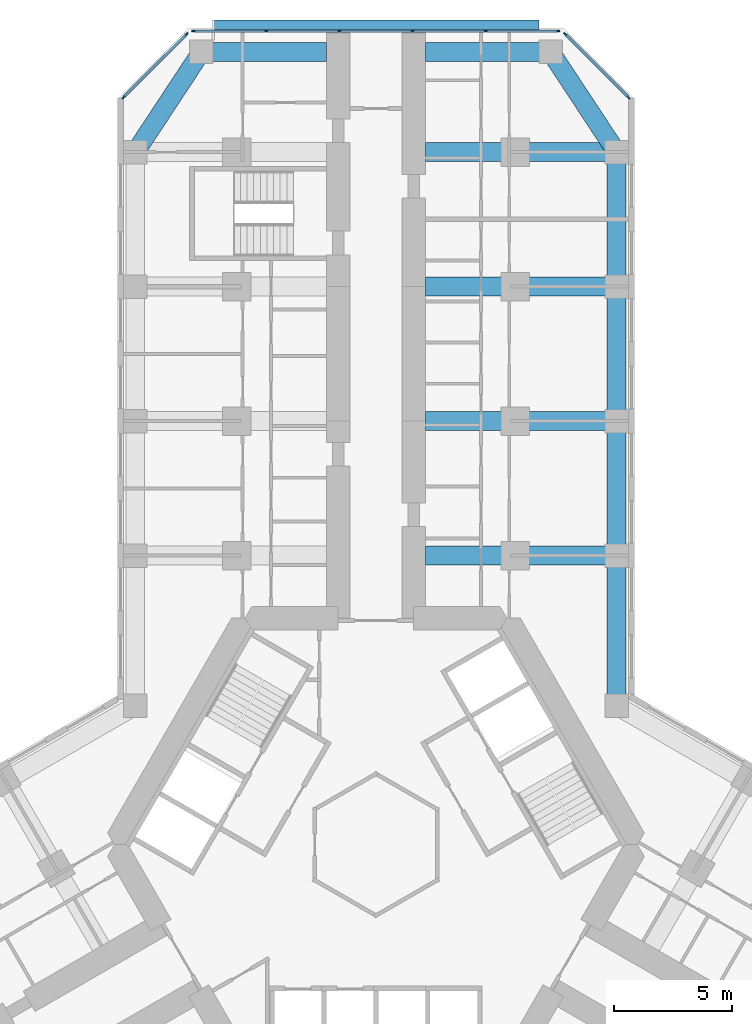
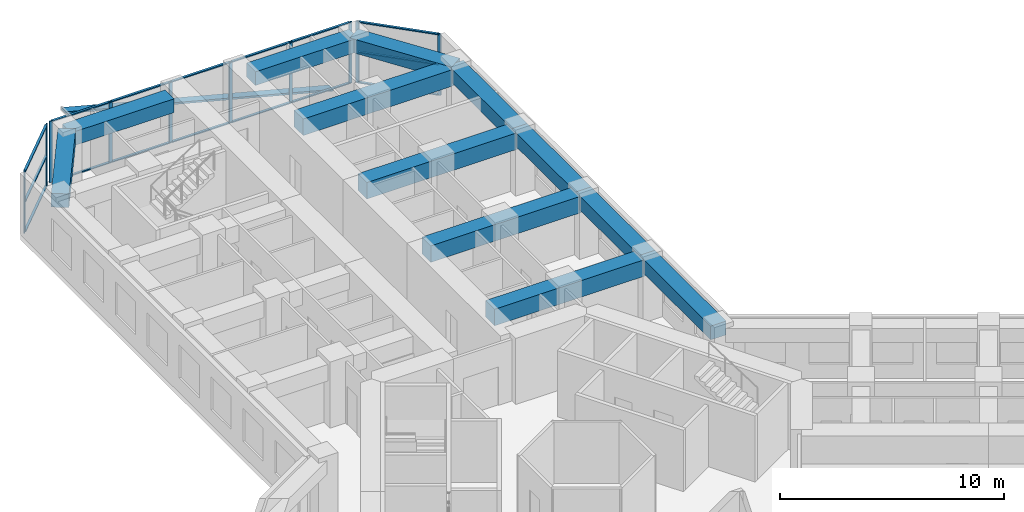
# One storey, part 7 of 21: 27 members, 12 beams, 3 elements without a shape of their own.
"""IFC4 building model written with IfcOpenShell, lengths in metres."""

from ifc_helpers import new_model, si_unit, direction, frame, origin, origin_2d, place, context, subcontext, project, spatial, rectangle, extrude, material, material_profile, profile_set, type_object, element, aggregate, save


model = new_model("IFC4")

# Units and contexts
model_context = context("Model", 3, precision=1e-05, world=origin(), true_north=direction((0.0, 1.0)))
body_context = subcontext(model_context, "Body", "Model", "MODEL_VIEW")
ifc_project = project(units=[si_unit("LENGTHUNIT", "METRE"), si_unit("AREAUNIT", "SQUARE_METRE"), si_unit("VOLUMEUNIT", "CUBIC_METRE"), si_unit("PLANEANGLEUNIT", "RADIAN"), si_unit("MASSUNIT", "GRAM", prefix="KILO")], contexts=[model_context])

# Site, building, storey
site_placement = place(None, origin())
site = spatial("IfcSite", under=ifc_project, at=site_placement, CompositionType="ELEMENT")
building_placement = place(site_placement, origin())
building = spatial("IfcBuilding", under=site, at=building_placement, Name="Kosmar Iwan School Tower", CompositionType="ELEMENT")
storey_placement = place(building_placement, frame((0.0, 0.0, 68.199951171875)))
storey = spatial("IfcBuildingStorey", under=building, at=storey_placement, Name="L16", CompositionType="ELEMENT", Elevation=68.199951171875)

# Member
ifc_material_1 = material(Name="Black anodised aluminium", Category="aluminium")
ifc_material_profile_1 = material_profile(ifc_material_1, rectangle(XDim=0.10009765625, YDim=0.39990234375, at=origin_2d()), Name="FIN 100x400")
ifc_profile_set_1 = profile_set([ifc_material_profile_1], Name="Black anodised aluminium")
member_type_1 = type_object("IfcMemberType", Name="Diagonal fin 100x400", PredefinedType="USERDEFINED", material=ifc_profile_set_1)
member_1_placement = place(storey_placement, frame((6.898193359375, 34.75, -0.14990234375), z_axis=(-0.967603633438, 0.0, 0.252474174041), x_axis=(0.252474174041, 0.0, 0.967603633438)))
element("IfcMember", 1, at=member_1_placement, inside=storey, type_object=member_type_1, Name="Diagonal fin L16-F08", ObjectType="FIN", PredefinedType="USERDEFINED", context=body_context, shape_type="SweptSolid", body=[
    extrude(rectangle(XDim=0.10009765625, YDim=0.39990234375, at=origin_2d()), origin(), (0.0, 0.0, 1.0), 14.25830078125),
])

# Curtain wall, members
ifc_material_2 = material(Name="Dark glass in black aluminium frame", Category="aluminium")
curtain_wall_type_1 = type_object("IfcCurtainWallType", Name="Chamfer curtain wall dark glass", PredefinedType="USERDEFINED", material=ifc_material_2)
curtain_wall_1_placement = place(storey_placement, origin())
curtain_wall_1 = element("IfcCurtainWall", 2, at=curtain_wall_1_placement, inside=storey, type_object=curtain_wall_type_1, Name="Curtain wall L16-F07", ObjectType="FACETED CURTAIN WALL", PredefinedType="USERDEFINED")
ifc_material_3 = material(Name="Black anodised aluminium", Category="aluminium")
ifc_material_profile_2 = material_profile(ifc_material_3, rectangle(XDim=0.06005859375, YDim=0.159912109375, at=origin_2d()), Name="MULLION 60x160")
ifc_profile_set_2 = profile_set([ifc_material_profile_2], Name="Black anodised aluminium")
member_type_2 = type_object("IfcMemberType", Name="Mullion 60x160", PredefinedType="MULLION", material=ifc_profile_set_2)
member_2_placement = place(storey_placement, frame((10.69775390625, 31.675537109375, 0.0), z_axis=(0.0, 0.0, 1.0), x_axis=(-0.707106781187, -0.707106781187, 0.0)))
member_2 = element("IfcMember", 3, at=member_2_placement, type_object=member_type_2, Name="CW2 mullion 1", PredefinedType="MULLION", context=body_context, shape_type="SweptSolid", body=[
    extrude(rectangle(XDim=0.06005859375, YDim=0.159912109375, at=origin_2d()), origin(), (0.0, 0.0, 1.0), 3.35009765625),
])
member_3_placement = place(storey_placement, frame((8.025390625, 34.34765625, 0.0), z_axis=(0.0, 0.0, 1.0), x_axis=(-0.707106781187, -0.707106781187, 0.0)))
member_3 = element("IfcMember", 4, at=member_3_placement, type_object=member_type_2, Name="CW2 mullion 2", PredefinedType="MULLION", context=body_context, shape_type="SweptSolid", body=[
    extrude(rectangle(XDim=0.06005859375, YDim=0.159912109375, at=origin_2d()), origin(), (0.0, 0.0, 1.0), 3.35009765625),
])

ifc_material_4 = material(Name="Dark glass in black aluminium frame", Category="aluminium")
curtain_wall_type_2 = type_object("IfcCurtainWallType", Name="Tower curtain wall dark glass", PredefinedType="USERDEFINED", material=ifc_material_4)
curtain_wall_2_placement = place(storey_placement, origin())
curtain_wall_2 = element("IfcCurtainWall", 5, at=curtain_wall_2_placement, inside=storey, type_object=curtain_wall_type_2, Name="Curtain wall L16-F08", ObjectType="UNITISED CURTAIN WALL", PredefinedType="USERDEFINED")
member_4_placement = place(storey_placement, frame((7.71826171875, 34.47509765625, 0.0), z_axis=(0.0, 0.0, 1.0), x_axis=(0.0, -1.0, 0.0)))
member_4 = element("IfcMember", 6, at=member_4_placement, type_object=member_type_2, Name="CW1 mullion 1", PredefinedType="MULLION", context=body_context, shape_type="SweptSolid", body=[
    extrude(rectangle(XDim=0.06005859375, YDim=0.159912109375, at=origin_2d()), origin(), (0.0, 0.0, 1.0), 3.35009765625),
])
member_5_placement = place(storey_placement, frame((4.64892578125, 34.47509765625, 0.0), z_axis=(0.0, 0.0, 1.0), x_axis=(0.0, -1.0, 0.0)))
member_5 = element("IfcMember", 7, at=member_5_placement, type_object=member_type_2, Name="CW1 mullion 2", PredefinedType="MULLION", context=body_context, shape_type="SweptSolid", body=[
    extrude(rectangle(XDim=0.06005859375, YDim=0.159912109375, at=origin_2d()), origin(), (0.0, 0.0, 1.0), 3.35009765625),
])
member_6_placement = place(storey_placement, frame((1.549560546875, 34.47509765625, 0.0), z_axis=(0.0, 0.0, 1.0), x_axis=(0.0, -1.0, 0.0)))
member_6 = element("IfcMember", 8, at=member_6_placement, type_object=member_type_2, Name="CW1 mullion 3", PredefinedType="MULLION", context=body_context, shape_type="SweptSolid", body=[
    extrude(rectangle(XDim=0.06005859375, YDim=0.159912109375, at=origin_2d()), origin(), (0.0, 0.0, 1.0), 3.35009765625),
])
member_7_placement = place(storey_placement, frame((-1.549560546875, 34.47509765625, 0.0), z_axis=(0.0, 0.0, 1.0), x_axis=(0.0, -1.0, 0.0)))
member_7 = element("IfcMember", 9, at=member_7_placement, type_object=member_type_2, Name="CW1 mullion 4", PredefinedType="MULLION", context=body_context, shape_type="SweptSolid", body=[
    extrude(rectangle(XDim=0.06005859375, YDim=0.159912109375, at=origin_2d()), origin(), (0.0, 0.0, 1.0), 3.35009765625),
])
member_8_placement = place(storey_placement, frame((-4.64892578125, 34.47509765625, 0.0), z_axis=(0.0, 0.0, 1.0), x_axis=(0.0, -1.0, 0.0)))
member_8 = element("IfcMember", 10, at=member_8_placement, type_object=member_type_2, Name="CW1 mullion 5", PredefinedType="MULLION", context=body_context, shape_type="SweptSolid", body=[
    extrude(rectangle(XDim=0.06005859375, YDim=0.159912109375, at=origin_2d()), origin(), (0.0, 0.0, 1.0), 3.35009765625),
])
member_9_placement = place(storey_placement, frame((-7.71826171875, 34.47509765625, 0.0), z_axis=(0.0, 0.0, 1.0), x_axis=(0.0, -1.0, 0.0)))
member_9 = element("IfcMember", 11, at=member_9_placement, type_object=member_type_2, Name="CW1 mullion 6", PredefinedType="MULLION", context=body_context, shape_type="SweptSolid", body=[
    extrude(rectangle(XDim=0.06005859375, YDim=0.159912109375, at=origin_2d()), origin(), (0.0, 0.0, 1.0), 3.35009765625),
])

curtain_wall_3_placement = place(storey_placement, origin())
curtain_wall_3 = element("IfcCurtainWall", 12, at=curtain_wall_3_placement, inside=storey, type_object=curtain_wall_type_1, Name="Curtain wall L16-F09", ObjectType="FACETED CURTAIN WALL", PredefinedType="USERDEFINED")
member_10_placement = place(storey_placement, frame((-8.025390625, 34.34765625, 0.0), z_axis=(0.0, 0.0, 1.0), x_axis=(0.707106781187, -0.707106781187, 0.0)))
member_10 = element("IfcMember", 13, at=member_10_placement, type_object=member_type_2, Name="CW2 mullion 1", PredefinedType="MULLION", context=body_context, shape_type="SweptSolid", body=[
    extrude(rectangle(XDim=0.06005859375, YDim=0.159912109375, at=origin_2d()), origin(), (0.0, 0.0, 1.0), 3.35009765625),
])
member_11_placement = place(storey_placement, frame((-10.69775390625, 31.675537109375, 0.0), z_axis=(0.0, 0.0, 1.0), x_axis=(0.707106781187, -0.707106781187, 0.0)))
member_11 = element("IfcMember", 14, at=member_11_placement, type_object=member_type_2, Name="CW2 mullion 2", PredefinedType="MULLION", context=body_context, shape_type="SweptSolid", body=[
    extrude(rectangle(XDim=0.06005859375, YDim=0.159912109375, at=origin_2d()), origin(), (0.0, 0.0, 1.0), 3.35009765625),
])

# Beams
ifc_material_5 = material(Name="Concrete C50/60", Category="concrete")
ifc_material_profile_3 = material_profile(ifc_material_5, rectangle(XDim=0.800048828125, YDim=0.75, at=origin_2d()), Name="RC 800x750")
ifc_profile_set_3 = profile_set([ifc_material_profile_3], Name="Concrete C50/60")
beam_type_1 = type_object("IfcBeamType", Name="RC edge beam 800x750", PredefinedType="BEAM", material=ifc_profile_set_3)
beam_1_placement = place(storey_placement, frame((10.199951171875, 5.888916015625, 2.97509765625), z_axis=(0.0, 1.0, 0.0), x_axis=(-1.0, 0.0, 0.0)))
element("IfcBeam", 15, at=beam_1_placement, inside=storey, type_object=beam_type_1, Name="Edge beam AR1", PredefinedType="BEAM", context=body_context, shape_type="SweptSolid", body=[
    extrude(rectangle(XDim=0.800048828125, YDim=0.75, at=origin_2d()), origin(), (0.0, 0.0, 1.0), 6.361083984375),
])
for number, where, z_axis, x_axis, name in (
    (16, (10.199951171875, 12.25, 2.97509765625), (0.0, 1.0, 0.0), (-1.0, 0.0, 0.0), "Edge beam AR2"),
    (17, (10.199951171875, 17.949951171875, 2.97509765625), (0.0, 1.0, 0.0), (-1.0, 0.0, 0.0), "Edge beam AR3"),
):
    element("IfcBeam", number, at=place(storey_placement, frame(where, z_axis=z_axis, x_axis=x_axis)), inside=storey, type_object=beam_type_1, Name=name, PredefinedType="BEAM", context=body_context, shape_type="SweptSolid", body=[
        extrude(rectangle(XDim=0.800048828125, YDim=0.75, at=origin_2d()), origin(), (0.0, 0.0, 1.0), 5.699951171875),
    ])
beam_2_placement = place(storey_placement, frame((10.199951171875, 23.64990234375, 2.97509765625), z_axis=(0.0, 1.0, 0.0), x_axis=(-1.0, 0.0, 0.0)))
element("IfcBeam", 18, at=beam_2_placement, inside=storey, type_object=beam_type_1, Name="Edge beam AR4", PredefinedType="BEAM", context=body_context, shape_type="SweptSolid", body=[
    extrude(rectangle(XDim=0.800048828125, YDim=0.75, at=origin_2d()), origin(), (0.0, 0.0, 1.0), 5.7001953125),
])
ifc_material_6 = material(Name="Concrete C50/60", Category="concrete")
ifc_material_profile_4 = material_profile(ifc_material_6, rectangle(XDim=0.800048828125, YDim=0.75, at=origin_2d()), Name="RC 800x750")
ifc_profile_set_4 = profile_set([ifc_material_profile_4], Name="Concrete C50/60")
beam_type_2 = type_object("IfcBeamType", Name="RC tip beam 800x750", PredefinedType="BEAM", material=ifc_profile_set_4)
beam_3_placement = place(storey_placement, frame((-10.199951171875, 29.35009765625, 2.97509765625), z_axis=(0.550164383043, 0.835056376319, 0.0), x_axis=(-0.835056376319, 0.550164383043, 0.0)))
element("IfcBeam", 19, at=beam_3_placement, inside=storey, type_object=beam_type_2, Name="Tip beam AL", PredefinedType="BEAM", context=body_context, shape_type="SweptSolid", body=[
    extrude(rectangle(XDim=0.800048828125, YDim=0.75, at=origin_2d()), origin(), (0.0, 0.0, 1.0), 5.08935546875),
])
beam_4_placement = place(storey_placement, frame((-7.39990234375, 33.60009765625, 2.97509765625), z_axis=(1.0, 0.0, 0.0), x_axis=(0.0, 1.0, 0.0)))
element("IfcBeam", 20, at=beam_4_placement, inside=storey, type_object=beam_type_2, Name="Tip beam AL to corridor wall", PredefinedType="BEAM", context=body_context, shape_type="SweptSolid", body=[
    extrude(rectangle(XDim=0.800048828125, YDim=0.75, at=origin_2d()), origin(), (0.0, 0.0, 1.0), 5.2998046875),
])
beam_5_placement = place(storey_placement, frame((10.199951171875, 29.35009765625, 2.97509765625), z_axis=(-0.550164383043, 0.835056376319, 0.0), x_axis=(-0.835056376319, -0.550164383043, 0.0)))
element("IfcBeam", 21, at=beam_5_placement, inside=storey, type_object=beam_type_2, Name="Tip beam AR", PredefinedType="BEAM", context=body_context, shape_type="SweptSolid", body=[
    extrude(rectangle(XDim=0.800048828125, YDim=0.75, at=origin_2d()), origin(), (0.0, 0.0, 1.0), 5.08935546875),
])
beam_6_placement = place(storey_placement, frame((7.39990234375, 33.60009765625, 2.97509765625), z_axis=(-1.0, 0.0, 0.0), x_axis=(0.0, -1.0, 0.0)))
element("IfcBeam", 22, at=beam_6_placement, inside=storey, type_object=beam_type_2, Name="Tip beam AR to corridor wall", PredefinedType="BEAM", context=body_context, shape_type="SweptSolid", body=[
    extrude(rectangle(XDim=0.800048828125, YDim=0.75, at=origin_2d()), origin(), (0.0, 0.0, 1.0), 5.2998046875),
])
ifc_material_7 = material(Name="Concrete C50/60", Category="concrete")
ifc_material_profile_5 = material_profile(ifc_material_7, rectangle(XDim=0.800048828125, YDim=0.89990234375, at=origin_2d()), Name="RC 800x900")
ifc_profile_set_5 = profile_set([ifc_material_profile_5], Name="Concrete C50/60")
beam_type_3 = type_object("IfcBeamType", Name="RC transverse beam 800x900", PredefinedType="BEAM", material=ifc_profile_set_5)
for number, where, z_axis, x_axis, name in (
    (23, (10.199951171875, 12.25, 2.900146484375), (-1.0, 0.0, 0.0), (0.0, -1.0, 0.0), "Transverse beam AR1"),
    (24, (10.199951171875, 17.949951171875, 2.900146484375), (-1.0, 0.0, 0.0), (0.0, -1.0, 0.0), "Transverse beam AR2"),
    (25, (10.199951171875, 23.64990234375, 2.900146484375), (-1.0, 0.0, 0.0), (0.0, -1.0, 0.0), "Transverse beam AR3"),
    (26, (10.199951171875, 29.35009765625, 2.900146484375), (-1.0, 0.0, 0.0), (0.0, -1.0, 0.0), "Transverse beam AR4"),
):
    element("IfcBeam", number, at=place(storey_placement, frame(where, z_axis=z_axis, x_axis=x_axis)), inside=storey, type_object=beam_type_3, Name=name, PredefinedType="BEAM", context=body_context, shape_type="SweptSolid", body=[
        extrude(rectangle(XDim=0.800048828125, YDim=0.89990234375, at=origin_2d()), origin(), (0.0, 0.0, 1.0), 8.099853515625),
    ])

# Member
ifc_material_8 = material(Name="Black anodised aluminium", Category="aluminium")
ifc_material_profile_6 = material_profile(ifc_material_8, rectangle(XDim=0.1201171875, YDim=0.06005859375, at=origin_2d()), Name="TRANSOM 60x120")
ifc_profile_set_6 = profile_set([ifc_material_profile_6], Name="Black anodised aluminium")
member_type_3 = type_object("IfcMemberType", Name="Transom 60x120", PredefinedType="USERDEFINED", material=ifc_profile_set_6)
member_12_placement = place(storey_placement, frame((10.676513671875, 31.69677734375, 0.030029296875), z_axis=(-0.707139603466, 0.707073957383, 0.0), x_axis=(-0.707073957383, -0.707139603466, 0.0)))
member_12 = element("IfcMember", 27, at=member_12_placement, type_object=member_type_3, Name="CW2 transom 1.1", ObjectType="TRANSOM", PredefinedType="USERDEFINED", context=body_context, shape_type="SweptSolid", body=[
    extrude(rectangle(XDim=0.1201171875, YDim=0.06005859375, at=origin_2d()), origin(), (0.0, 0.0, 1.0), 3.718994140625),
])

member_13_placement = place(storey_placement, frame((10.676513671875, 31.69677734375, 1.675048828125), z_axis=(-0.707139603466, 0.707073957383, 0.0), x_axis=(-0.707073957383, -0.707139603466, 0.0)))
member_13 = element("IfcMember", 28, at=member_13_placement, type_object=member_type_3, Name="CW2 transom 1.2", ObjectType="TRANSOM", PredefinedType="USERDEFINED", context=body_context, shape_type="SweptSolid", body=[
    extrude(rectangle(XDim=0.1201171875, YDim=0.06005859375, at=origin_2d()), origin(), (0.0, 0.0, 1.0), 3.718994140625),
])

member_14_placement = place(storey_placement, frame((10.676513671875, 31.69677734375, 3.320068359375), z_axis=(-0.707139603466, 0.707073957383, 0.0), x_axis=(-0.707073957383, -0.707139603466, 0.0)))
member_14 = element("IfcMember", 29, at=member_14_placement, type_object=member_type_3, Name="CW2 transom 1.3", ObjectType="TRANSOM", PredefinedType="USERDEFINED", context=body_context, shape_type="SweptSolid", body=[
    extrude(rectangle(XDim=0.1201171875, YDim=0.06005859375, at=origin_2d()), origin(), (0.0, 0.0, 1.0), 3.718994140625),
])

aggregate(curtain_wall_1, [member_2, member_3, member_12, member_13, member_14])

member_15_placement = place(storey_placement, frame((7.688232421875, 34.47509765625, 0.030029296875), z_axis=(-1.0, 0.0, 0.0), x_axis=(0.0, -1.0, 0.0)))
member_15 = element("IfcMember", 30, at=member_15_placement, type_object=member_type_3, Name="CW1 transom 1.1", ObjectType="TRANSOM", PredefinedType="USERDEFINED", context=body_context, shape_type="SweptSolid", body=[
    extrude(rectangle(XDim=0.1201171875, YDim=0.06005859375, at=origin_2d()), origin(), (0.0, 0.0, 1.0), 3.00927734375),
])

member_16_placement = place(storey_placement, frame((7.688232421875, 34.47509765625, 3.320068359375), z_axis=(-1.0, 0.0, 0.0), x_axis=(0.0, -1.0, 0.0)))
member_16 = element("IfcMember", 31, at=member_16_placement, type_object=member_type_3, Name="CW1 transom 1.2", ObjectType="TRANSOM", PredefinedType="USERDEFINED", context=body_context, shape_type="SweptSolid", body=[
    extrude(rectangle(XDim=0.1201171875, YDim=0.06005859375, at=origin_2d()), origin(), (0.0, 0.0, 1.0), 3.00927734375),
])

member_17_placement = place(storey_placement, frame((4.618896484375, 34.47509765625, 0.030029296875), z_axis=(-1.0, 0.0, 0.0), x_axis=(0.0, -1.0, 0.0)))
member_17 = element("IfcMember", 32, at=member_17_placement, type_object=member_type_3, Name="CW1 transom 2.1", ObjectType="TRANSOM", PredefinedType="USERDEFINED", context=body_context, shape_type="SweptSolid", body=[
    extrude(rectangle(XDim=0.1201171875, YDim=0.06005859375, at=origin_2d()), origin(), (0.0, 0.0, 1.0), 3.039306640625),
])

member_18_placement = place(storey_placement, frame((4.618896484375, 34.47509765625, 3.320068359375), z_axis=(-1.0, 0.0, 0.0), x_axis=(0.0, -1.0, 0.0)))
member_18 = element("IfcMember", 33, at=member_18_placement, type_object=member_type_3, Name="CW1 transom 2.2", ObjectType="TRANSOM", PredefinedType="USERDEFINED", context=body_context, shape_type="SweptSolid", body=[
    extrude(rectangle(XDim=0.1201171875, YDim=0.06005859375, at=origin_2d()), origin(), (0.0, 0.0, 1.0), 3.039306640625),
])

member_19_placement = place(storey_placement, frame((1.51953125, 34.47509765625, 0.030029296875), z_axis=(-1.0, 0.0, 0.0), x_axis=(0.0, -1.0, 0.0)))
member_19 = element("IfcMember", 34, at=member_19_placement, type_object=member_type_3, Name="CW1 transom 3.1", ObjectType="TRANSOM", PredefinedType="USERDEFINED", context=body_context, shape_type="SweptSolid", body=[
    extrude(rectangle(XDim=0.1201171875, YDim=0.06005859375, at=origin_2d()), origin(), (0.0, 0.0, 1.0), 3.0390625),
])

member_20_placement = place(storey_placement, frame((1.51953125, 34.47509765625, 3.320068359375), z_axis=(-1.0, 0.0, 0.0), x_axis=(0.0, -1.0, 0.0)))
member_20 = element("IfcMember", 35, at=member_20_placement, type_object=member_type_3, Name="CW1 transom 3.2", ObjectType="TRANSOM", PredefinedType="USERDEFINED", context=body_context, shape_type="SweptSolid", body=[
    extrude(rectangle(XDim=0.1201171875, YDim=0.06005859375, at=origin_2d()), origin(), (0.0, 0.0, 1.0), 3.0390625),
])

member_21_placement = place(storey_placement, frame((-1.57958984375, 34.47509765625, 0.030029296875), z_axis=(-1.0, 0.0, 0.0), x_axis=(0.0, -1.0, 0.0)))
member_21 = element("IfcMember", 36, at=member_21_placement, type_object=member_type_3, Name="CW1 transom 4.1", ObjectType="TRANSOM", PredefinedType="USERDEFINED", context=body_context, shape_type="SweptSolid", body=[
    extrude(rectangle(XDim=0.1201171875, YDim=0.06005859375, at=origin_2d()), origin(), (0.0, 0.0, 1.0), 3.039306640625),
])

member_22_placement = place(storey_placement, frame((-1.57958984375, 34.47509765625, 3.320068359375), z_axis=(-1.0, 0.0, 0.0), x_axis=(0.0, -1.0, 0.0)))
member_22 = element("IfcMember", 37, at=member_22_placement, type_object=member_type_3, Name="CW1 transom 4.2", ObjectType="TRANSOM", PredefinedType="USERDEFINED", context=body_context, shape_type="SweptSolid", body=[
    extrude(rectangle(XDim=0.1201171875, YDim=0.06005859375, at=origin_2d()), origin(), (0.0, 0.0, 1.0), 3.039306640625),
])

member_23_placement = place(storey_placement, frame((-4.678955078125, 34.47509765625, 0.030029296875), z_axis=(-1.0, 0.0, 0.0), x_axis=(0.0, -1.0, 0.0)))
member_23 = element("IfcMember", 38, at=member_23_placement, type_object=member_type_3, Name="CW1 transom 5.1", ObjectType="TRANSOM", PredefinedType="USERDEFINED", context=body_context, shape_type="SweptSolid", body=[
    extrude(rectangle(XDim=0.1201171875, YDim=0.06005859375, at=origin_2d()), origin(), (0.0, 0.0, 1.0), 3.00927734375),
])

member_24_placement = place(storey_placement, frame((-4.678955078125, 34.47509765625, 3.320068359375), z_axis=(-1.0, 0.0, 0.0), x_axis=(0.0, -1.0, 0.0)))
member_24 = element("IfcMember", 39, at=member_24_placement, type_object=member_type_3, Name="CW1 transom 5.2", ObjectType="TRANSOM", PredefinedType="USERDEFINED", context=body_context, shape_type="SweptSolid", body=[
    extrude(rectangle(XDim=0.1201171875, YDim=0.06005859375, at=origin_2d()), origin(), (0.0, 0.0, 1.0), 3.00927734375),
])

aggregate(curtain_wall_2, [member_4, member_5, member_6, member_7, member_8, member_9, member_15, member_16, member_17, member_18, member_19, member_20, member_21, member_22, member_23, member_24])

member_25_placement = place(storey_placement, frame((-8.046630859375, 34.326416015625, 0.030029296875), z_axis=(-0.707139603466, -0.707073957383, 0.0), x_axis=(0.707073957383, -0.707139603466, 0.0)))
member_25 = element("IfcMember", 40, at=member_25_placement, type_object=member_type_3, Name="CW2 transom 1.1", ObjectType="TRANSOM", PredefinedType="USERDEFINED", context=body_context, shape_type="SweptSolid", body=[
    extrude(rectangle(XDim=0.1201171875, YDim=0.06005859375, at=origin_2d()), origin(), (0.0, 0.0, 1.0), 3.718994140625),
])

member_26_placement = place(storey_placement, frame((-8.046630859375, 34.326416015625, 1.675048828125), z_axis=(-0.707139603466, -0.707073957383, 0.0), x_axis=(0.707073957383, -0.707139603466, 0.0)))
member_26 = element("IfcMember", 41, at=member_26_placement, type_object=member_type_3, Name="CW2 transom 1.2", ObjectType="TRANSOM", PredefinedType="USERDEFINED", context=body_context, shape_type="SweptSolid", body=[
    extrude(rectangle(XDim=0.1201171875, YDim=0.06005859375, at=origin_2d()), origin(), (0.0, 0.0, 1.0), 3.718994140625),
])

member_27_placement = place(storey_placement, frame((-8.046630859375, 34.326416015625, 3.320068359375), z_axis=(-0.707139603466, -0.707073957383, 0.0), x_axis=(0.707073957383, -0.707139603466, 0.0)))
member_27 = element("IfcMember", 42, at=member_27_placement, type_object=member_type_3, Name="CW2 transom 1.3", ObjectType="TRANSOM", PredefinedType="USERDEFINED", context=body_context, shape_type="SweptSolid", body=[
    extrude(rectangle(XDim=0.1201171875, YDim=0.06005859375, at=origin_2d()), origin(), (0.0, 0.0, 1.0), 3.718994140625),
])

aggregate(curtain_wall_3, [member_10, member_11, member_25, member_26, member_27])

save(model, "model.ifc")
